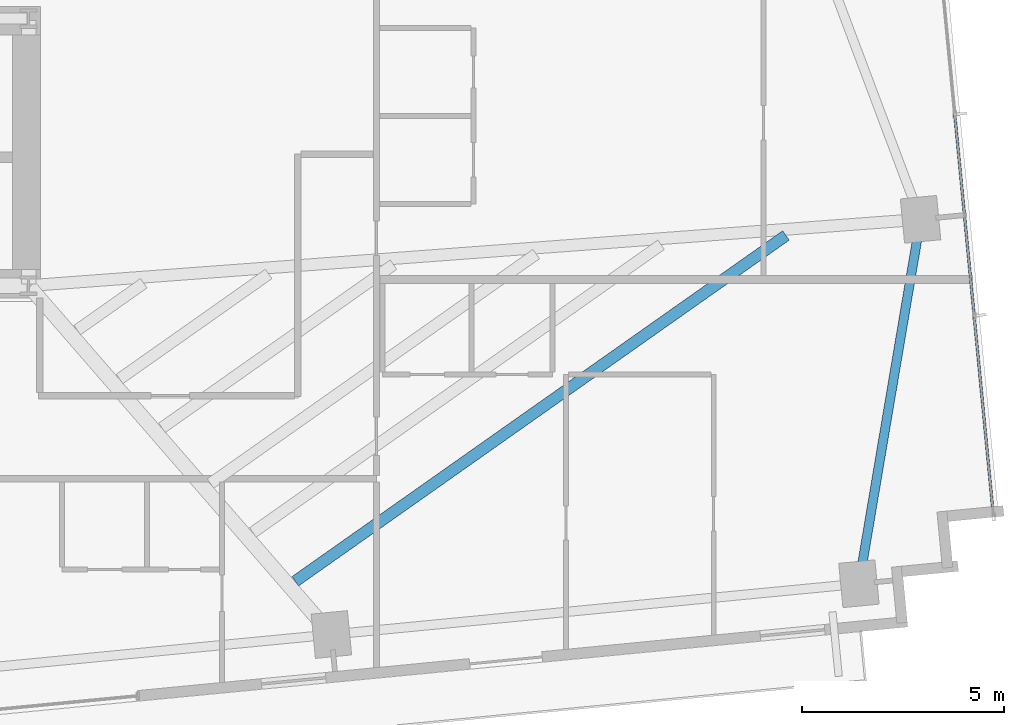
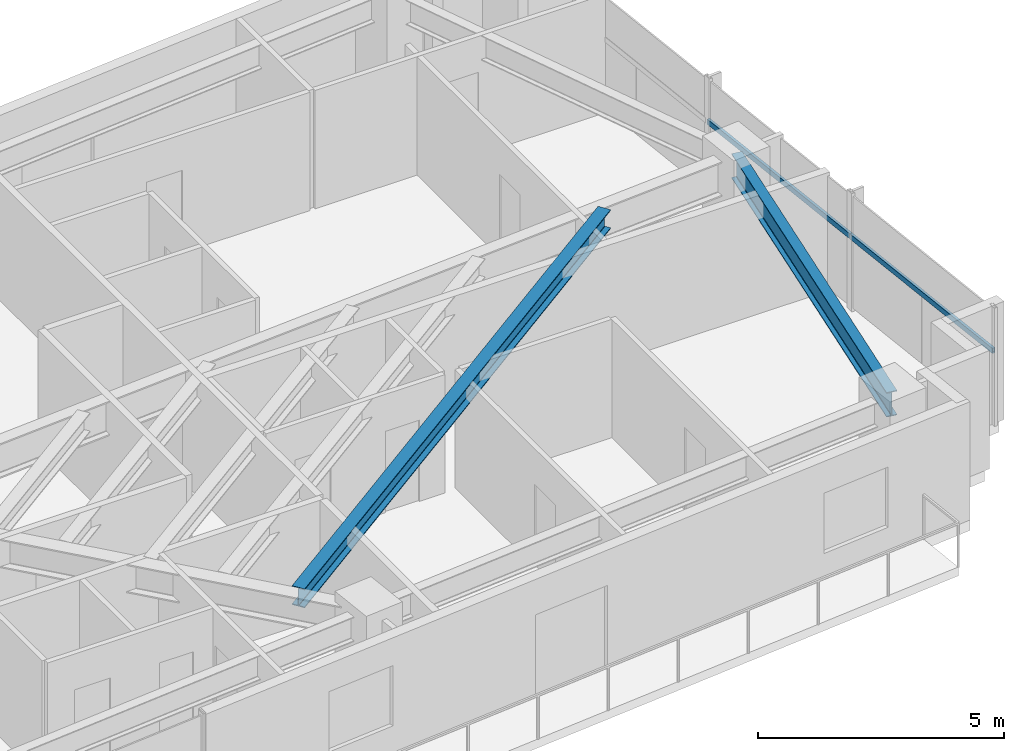
# One storey, part 15 of 27: 2 beams, 2 members, 1 element without a shape of its own.
"""IFC4 building model written with IfcOpenShell, lengths in metres."""

from ifc_helpers import new_model, si_unit, direction, frame, origin, origin_2d, place, context, subcontext, project, spatial, hollow_rectangle, i_section, extrude, source, transform, mapped, material, material_profile, profile_set, type_object, type_shapes, element, aggregate, save


model = new_model("IFC4")

# Units and contexts
model_context = context("Model", 3, precision=1e-05, world=origin(), true_north=direction((0.0, 1.0)))
body_context = subcontext(model_context, "Body", "Model", "MODEL_VIEW")
ifc_project = project(units=[si_unit("LENGTHUNIT", "METRE"), si_unit("AREAUNIT", "SQUARE_METRE"), si_unit("VOLUMEUNIT", "CUBIC_METRE"), si_unit("PLANEANGLEUNIT", "RADIAN"), si_unit("MASSUNIT", "GRAM", prefix="KILO")], contexts=[model_context])

# Site, building, storey
site_placement = place(None, origin())
site = spatial("IfcSite", under=ifc_project, at=site_placement, CompositionType="ELEMENT")
building_placement = place(site_placement, origin())
building = spatial("IfcBuilding", under=site, at=building_placement, Name="Astriad Promenade Condominiums", CompositionType="ELEMENT")
storey_placement = place(building_placement, frame((0.0, 0.0, 93.800048828125)))
storey = spatial("IfcBuildingStorey", under=building, at=storey_placement, Name="L26", CompositionType="ELEMENT", Elevation=93.800048828125)

# Beams
ifc_material_1 = material(Name="Steel ASTM A992 Grade 50", Category="steel")
ifc_material_profile_1 = material_profile(ifc_material_1, i_section(OverallWidth=0.22900390625, OverallDepth=0.612060546875, WebThickness=0.011962890625, FlangeThickness=0.01953125, FilletRadius=0.017822265625, at=origin_2d()), Name="W24X84")
ifc_profile_set_1 = profile_set([ifc_material_profile_1], Name="Steel ASTM A992 Grade 50")
beam_type_1 = type_object("IfcBeamType", Name="STEEL SPANDREL BEAM W24X84", PredefinedType="SPANDREL", material=ifc_profile_set_1)
shared_shape_1 = source(origin(), body_context, "Body", "SweptSolid", [
    extrude(i_section(OverallWidth=0.22900390625, OverallDepth=0.612060546875, WebThickness=0.011962890625, FlangeThickness=0.01953125, FilletRadius=0.017822265625, at=origin_2d()), origin(), (0.0, 0.0, 1.0), 9.055419921875),
])
type_shapes(beam_type_1, [shared_shape_1])
beam_1_placement = place(storey_placement, frame((66.13134765625, 10.0712890625, 2.6337890625), z_axis=(0.166776851291, 0.98599466625, 0.0), x_axis=(-0.98599466625, 0.166776851291, 0.0)))
element("IfcBeam", 1, at=beam_1_placement, inside=storey, type_object=beam_type_1, Name="Perimeter Spandrel Beam SP-E1-L26", PredefinedType="SPANDREL", context=body_context, shape_type="MappedRepresentation", body=[
    mapped(shared_shape_1, transform((0.0, 0.0, 0.0), scale=1.0)),
])
ifc_material_profile_2 = material_profile(ifc_material_1, i_section(OverallWidth=0.283203125, OverallDepth=0.47216796875, WebThickness=0.013671875, FlangeThickness=0.022216796875, FilletRadius=0.01513671875, at=origin_2d()), Name="W18X97")
ifc_profile_set_2 = profile_set([ifc_material_profile_2], Name="Steel ASTM A992 Grade 50")
beam_type_2 = type_object("IfcBeamType", Name="STEEL FLOOR JOIST W18X97", PredefinedType="JOIST", material=ifc_profile_set_2)
shared_shape_2 = source(origin(), body_context, "Body", "SweptSolid", [
    extrude(i_section(OverallWidth=0.283203125, OverallDepth=0.47216796875, WebThickness=0.013671875, FlangeThickness=0.022216796875, FilletRadius=0.01513671875, at=origin_2d()), origin(), (0.0, 0.0, 1.0), 14.838134765625),
])
type_shapes(beam_type_2, [shared_shape_2])
beam_2_placement = place(storey_placement, frame((52.192138671875, 10.093017578125, 2.703857421875), z_axis=(0.817419044294, 0.576043493171, 0.0), x_axis=(-0.576043493171, 0.817419044294, 0.0)))
element("IfcBeam", 2, at=beam_2_placement, inside=storey, type_object=beam_type_2, Name="Secondary Composite Floor Joist JE1-1-L26", PredefinedType="JOIST", context=body_context, shape_type="MappedRepresentation", body=[
    mapped(shared_shape_2, transform((0.0, 0.0, 0.0), scale=1.0)),
])

# Curtain wall, members
ifc_material_2 = material(Name="Anodised aluminium Black Dark Glass Unitised", Category="aluminium")
curtain_wall_type = type_object("IfcCurtainWallType", Name="CW-B2-DARK", PredefinedType="USERDEFINED", material=ifc_material_2)
curtain_wall_placement = place(storey_placement, origin())
curtain_wall = element("IfcCurtainWall", 3, at=curtain_wall_placement, inside=storey, type_object=curtain_wall_type, Name="CW-L26-E", ObjectType="UNITISED_CURTAIN_WALL", PredefinedType="USERDEFINED")
ifc_material_3 = material(Name="Anodised aluminium 6063-T6 Black", Category="aluminium")
ifc_material_profile_3 = material_profile(ifc_material_3, hollow_rectangle(XDim=0.06494140625, YDim=0.1298828125, WallThickness=0.00390625, at=origin_2d()), Name="ALU-TRN-65X130")
ifc_profile_set_3 = profile_set([ifc_material_profile_3], Name="Anodised aluminium 6063-T6 Black")
member_type = type_object("IfcMemberType", Name="TRN-ALU-TRN-65X130", PredefinedType="USERDEFINED", material=ifc_profile_set_3)
shared_shape_3 = source(origin(), body_context, "Body", "SweptSolid", [
    extrude(hollow_rectangle(XDim=0.06494140625, YDim=0.1298828125, WallThickness=0.00390625, at=origin_2d()), origin(), (0.0, 0.0, 1.0), 5.0),
])
member_1_placement = place(storey_placement, frame((68.972900390625, 16.6552734375, 1.82275390625), z_axis=(0.095848242264, -0.995395958629, 0.0), x_axis=(0.995395958629, 0.095848242264, 0.0)))
member_1 = element("IfcMember", 4, at=member_1_placement, type_object=member_type, Name="CW-L26-E-TRN-02-0", ObjectType="TRANSOM", PredefinedType="USERDEFINED", context=body_context, shape_type="MappedRepresentation", body=[
    mapped(shared_shape_3, transform((0.0, 0.0, 0.0), scale=1.0)),
])
shared_shape_4 = source(origin(), body_context, "Body", "SweptSolid", [
    extrude(hollow_rectangle(XDim=0.06494140625, YDim=0.1298828125, WallThickness=0.00390625, at=origin_2d()), origin(), (0.0, 0.0, 1.0), 4.999755859375),
])
type_shapes(member_type, [shared_shape_3, shared_shape_4])
member_2_placement = place(storey_placement, frame((68.493896484375, 21.632080078125, 1.82275390625), z_axis=(0.095804519461, -0.995400167797, 0.0), x_axis=(0.995400167797, 0.095804519461, 0.0)))
member_2 = element("IfcMember", 5, at=member_2_placement, type_object=member_type, Name="CW-L26-E-TRN-01-0", ObjectType="TRANSOM", PredefinedType="USERDEFINED", context=body_context, shape_type="MappedRepresentation", body=[
    mapped(shared_shape_4, transform((0.0, 0.0, 0.0), scale=1.0)),
])
aggregate(curtain_wall, [member_2, member_1])

save(model, "model.ifc")
